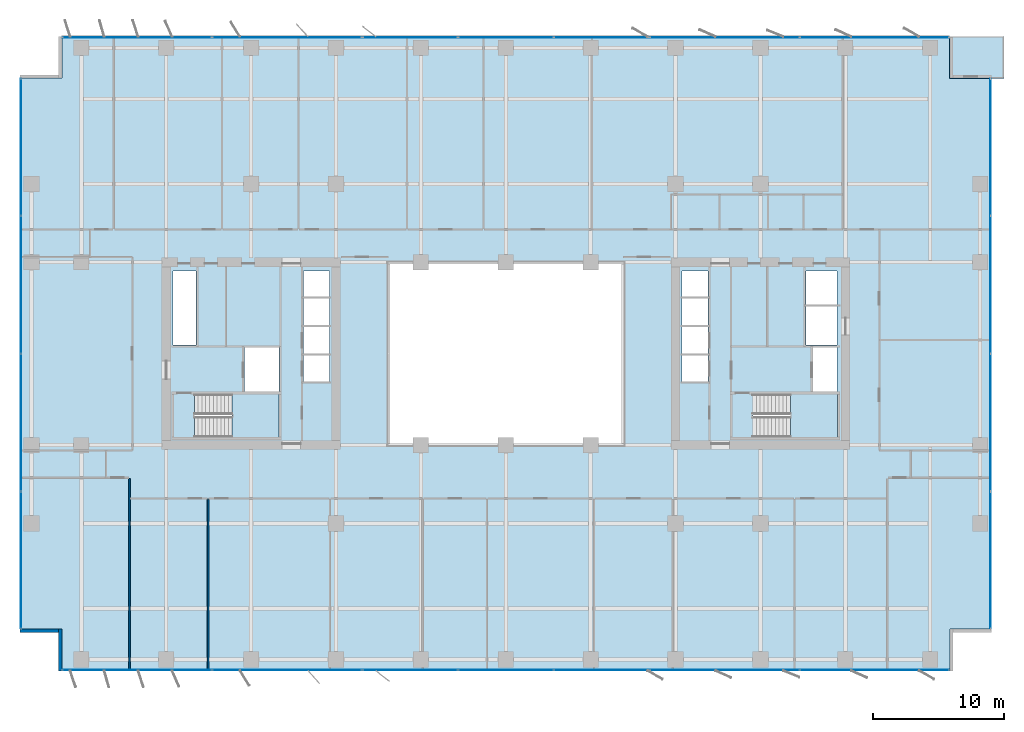
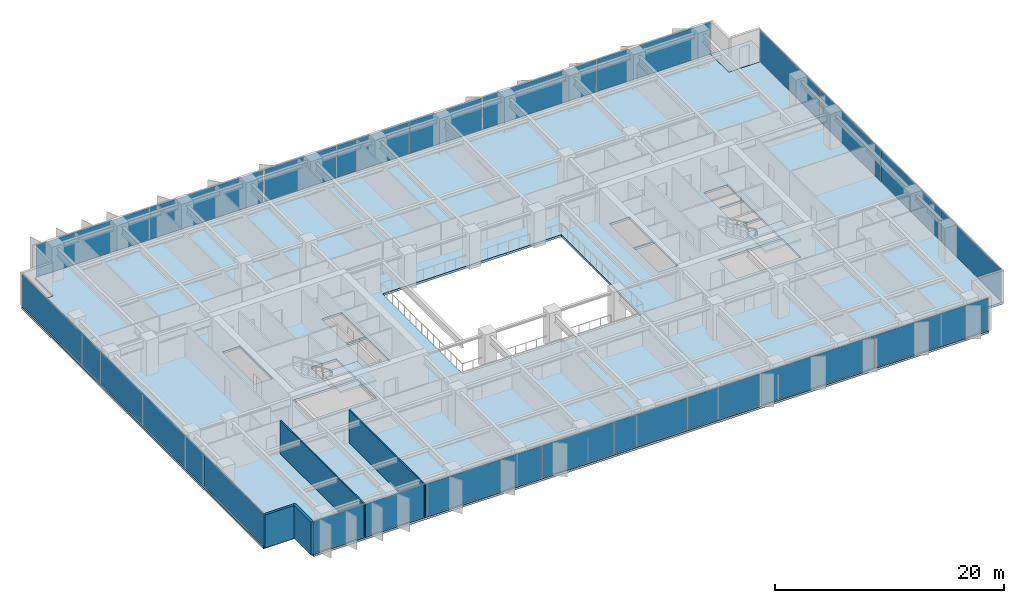
# One storey, part 12 of 20: 22 plates, 4 slabs, 4 walls, 10 elements without a shape of their own.
"""IFC4 building model written with IfcOpenShell, lengths in metres."""

from ifc_helpers import new_model, si_unit, direction, frame, frame_2d, origin, origin_2d, place, context, subcontext, project, spatial, polyline, rectangle, outline, extrude, material, layer, layer_set, type_object, element, aggregate, save


model = new_model("IFC4")

# Units and contexts
model_context = context("Model", 3, precision=1e-05, world=origin(), true_north=direction((0.0, 1.0)))
body_context = subcontext(model_context, "Body", "Model", "MODEL_VIEW")
ifc_project = project(units=[si_unit("LENGTHUNIT", "METRE"), si_unit("AREAUNIT", "SQUARE_METRE"), si_unit("VOLUMEUNIT", "CUBIC_METRE"), si_unit("PLANEANGLEUNIT", "RADIAN"), si_unit("MASSUNIT", "GRAM", prefix="KILO")], contexts=[model_context])

# Site, building, storey
site_placement = place(None, origin())
site = spatial("IfcSite", under=ifc_project, at=site_placement, CompositionType="ELEMENT")
building_placement = place(site_placement, origin())
building = spatial("IfcBuilding", under=site, at=building_placement, Name="Putna Gate Headquarters", CompositionType="ELEMENT")
storey_placement = place(building_placement, frame((0.0, 0.0, 135.39990234375)))
storey = spatial("IfcBuildingStorey", under=building, at=storey_placement, Name="L33", CompositionType="ELEMENT", Elevation=135.39990234375)

# Stair, slab
ifc_material_1 = material(Name="Concrete C40/50", Category="concrete")
stair_type_1 = type_object("IfcStairType", Name="STAIR-ST1", PredefinedType="HALF_TURN_STAIR", material=ifc_material_1)
stair_1_placement = place(storey_placement, origin())
stair_1 = element("IfcStair", 1, at=stair_1_placement, inside=storey, type_object=stair_type_1, Name="L33 West Core Exit Stair ST1", PredefinedType="HALF_TURN_STAIR")
ifc_layer_1 = layer(ifc_material_1, 0.199951171875)
ifc_layer_set_1 = layer_set([ifc_layer_1], Name="Concrete C40/50")
slab_type_1 = type_object("IfcSlabType", Name="LANDING-ST1", PredefinedType="LANDING", material=ifc_layer_set_1)
slab_1_placement = place(storey_placement, frame((0.0, 0.0, 1.7001953125)))
slab_1 = element("IfcSlab", 2, at=slab_1_placement, type_object=slab_type_1, Name="ST1 landing 1", PredefinedType="LANDING", context=body_context, shape_type="SweptSolid", body=[
    extrude(outline(polyline([(18.050048828125, 19.60009765625), (21.64990234375, 19.60009765625), (21.64990234375, 22.89990234375), (18.050048828125, 22.89990234375), (18.050048828125, 19.60009765625)])), origin(), (0.0, 0.0, 1.0), 0.199951171875),
])
aggregate(stair_1, [slab_1])

stair_type_2 = type_object("IfcStairType", Name="STAIR-ST2", PredefinedType="HALF_TURN_STAIR", material=ifc_material_1)
stair_2_placement = place(storey_placement, origin())
stair_2 = element("IfcStair", 3, at=stair_2_placement, inside=storey, type_object=stair_type_2, Name="L33 East Core Exit Stair ST2", PredefinedType="HALF_TURN_STAIR")
ifc_layer_2 = layer(ifc_material_1, 0.199951171875)
ifc_layer_set_2 = layer_set([ifc_layer_2], Name="Concrete C40/50")
slab_type_2 = type_object("IfcSlabType", Name="LANDING-ST2", PredefinedType="LANDING", material=ifc_layer_set_2)
slab_2_placement = place(storey_placement, frame((0.0, 0.0, 1.7001953125)))
slab_2 = element("IfcSlab", 4, at=slab_2_placement, type_object=slab_type_2, Name="ST2 landing 1", PredefinedType="LANDING", context=body_context, shape_type="SweptSolid", body=[
    extrude(outline(polyline([(60.800048828125, 19.60009765625), (64.39990234375, 19.60009765625), (64.39990234375, 22.89990234375), (60.800048828125, 22.89990234375), (60.800048828125, 19.60009765625)])), origin(), (0.0, 0.0, 1.0), 0.199951171875),
])
aggregate(stair_2, [slab_2])

# Curtain wall, plates
ifc_material_2 = material(Name="Anodised bronze aluminium curtain wall", Category="aluminium")
ifc_layer_3 = layer(ifc_material_2, 0.159912109375)
ifc_layer_set_3 = layer_set([ifc_layer_3], Name="Anodised bronze aluminium curtain wall")
curtain_wall_type_1 = type_object("IfcCurtainWallType", Name="CW-SYS-Z2", PredefinedType="USERDEFINED", material=ifc_layer_set_3)
curtain_wall_1_placement = place(storey_placement, origin())
curtain_wall_1 = element("IfcCurtainWall", 5, at=curtain_wall_1_placement, inside=storey, type_object=curtain_wall_type_1, Name="L33 South West Curtain Wall", ObjectType="STICK CURTAIN WALL", PredefinedType="USERDEFINED")
ifc_material_3 = material(Name="Solar-control triple low-E glass", Category="glass")
ifc_layer_4 = layer(ifc_material_3, 0.030029296875)
ifc_layer_set_4 = layer_set([ifc_layer_4], Name="Solar-control triple low-E glass")
plate_type_1 = type_object("IfcPlateType", Name="PAN-CWP-2", PredefinedType="CURTAIN_PANEL", material=ifc_layer_set_4)
plate_1_placement = place(storey_placement, frame((10.766357421875, 1.780029296875, 0.06494140625), z_axis=(0.0, 0.0, 1.0), x_axis=(1.0, 0.0, 0.0)))
plate_1 = element("IfcPlate", 6, at=plate_1_placement, type_object=plate_type_1, Name="CWS-2 panel 1.1", PredefinedType="CURTAIN_PANEL", context=body_context, shape_type="SweptSolid", body=[
    extrude(rectangle(XDim=11.402587890625, YDim=0.030029296875, at=origin_2d()), origin(), (0.0, 0.0, 1.0), 3.389892578125),
])
plate_2_placement = place(storey_placement, frame((22.233642578125, 1.780029296875, 0.06494140625), z_axis=(0.0, 0.0, 1.0), x_axis=(1.0, 0.0, 0.0)))
plate_2 = element("IfcPlate", 7, at=plate_2_placement, type_object=plate_type_1, Name="CWS-2 panel 2.1", PredefinedType="CURTAIN_PANEL", context=body_context, shape_type="SweptSolid", body=[
    extrude(rectangle(XDim=11.402587890625, YDim=0.030029296875, at=origin_2d()), origin(), (0.0, 0.0, 1.0), 3.389892578125),
])
aggregate(curtain_wall_1, [plate_1, plate_2])

curtain_wall_2_placement = place(storey_placement, origin())
curtain_wall_2 = element("IfcCurtainWall", 8, at=curtain_wall_2_placement, inside=storey, type_object=curtain_wall_type_1, Name="L33 South East Curtain Wall", ObjectType="STICK CURTAIN WALL", PredefinedType="USERDEFINED")
plate_3_placement = place(storey_placement, frame((55.766357421875, 1.780029296875, 0.06494140625), z_axis=(0.0, 0.0, 1.0), x_axis=(1.0, 0.0, 0.0)))
plate_3 = element("IfcPlate", 9, at=plate_3_placement, type_object=plate_type_1, Name="CWS-2 panel 1.1", PredefinedType="CURTAIN_PANEL", context=body_context, shape_type="SweptSolid", body=[
    extrude(rectangle(XDim=11.402587890625, YDim=0.030029296875, at=origin_2d()), origin(), (0.0, 0.0, 1.0), 3.389892578125),
])
plate_4_placement = place(storey_placement, frame((67.233642578125, 1.780029296875, 0.06494140625), z_axis=(0.0, 0.0, 1.0), x_axis=(1.0, 0.0, 0.0)))
plate_4 = element("IfcPlate", 10, at=plate_4_placement, type_object=plate_type_1, Name="CWS-2 panel 2.1", PredefinedType="CURTAIN_PANEL", context=body_context, shape_type="SweptSolid", body=[
    extrude(rectangle(XDim=11.402587890625, YDim=0.030029296875, at=origin_2d()), origin(), (0.0, 0.0, 1.0), 3.389892578125),
])
aggregate(curtain_wall_2, [plate_3, plate_4])

curtain_wall_3_placement = place(storey_placement, origin())
curtain_wall_3 = element("IfcCurtainWall", 11, at=curtain_wall_3_placement, inside=storey, type_object=curtain_wall_type_1, Name="L33 North West Curtain Wall", ObjectType="STICK CURTAIN WALL", PredefinedType="USERDEFINED")
plate_5_placement = place(storey_placement, frame((10.766357421875, 50.219970703125, 0.06494140625), z_axis=(0.0, 0.0, 1.0), x_axis=(1.0, 0.0, 0.0)))
plate_5 = element("IfcPlate", 12, at=plate_5_placement, type_object=plate_type_1, Name="CWS-2 panel 1.1", PredefinedType="CURTAIN_PANEL", context=body_context, shape_type="SweptSolid", body=[
    extrude(rectangle(XDim=11.402587890625, YDim=0.030029296875, at=origin_2d()), origin(), (0.0, 0.0, 1.0), 3.389892578125),
])
plate_6_placement = place(storey_placement, frame((22.233642578125, 50.219970703125, 0.06494140625), z_axis=(0.0, 0.0, 1.0), x_axis=(1.0, 0.0, 0.0)))
plate_6 = element("IfcPlate", 13, at=plate_6_placement, type_object=plate_type_1, Name="CWS-2 panel 2.1", PredefinedType="CURTAIN_PANEL", context=body_context, shape_type="SweptSolid", body=[
    extrude(rectangle(XDim=11.402587890625, YDim=0.030029296875, at=origin_2d()), origin(), (0.0, 0.0, 1.0), 3.389892578125),
])
aggregate(curtain_wall_3, [plate_5, plate_6])

curtain_wall_4_placement = place(storey_placement, origin())
curtain_wall_4 = element("IfcCurtainWall", 14, at=curtain_wall_4_placement, inside=storey, type_object=curtain_wall_type_1, Name="L33 North East Curtain Wall", ObjectType="STICK CURTAIN WALL", PredefinedType="USERDEFINED")
plate_7_placement = place(storey_placement, frame((55.766357421875, 50.219970703125, 0.06494140625), z_axis=(0.0, 0.0, 1.0), x_axis=(1.0, 0.0, 0.0)))
plate_7 = element("IfcPlate", 15, at=plate_7_placement, type_object=plate_type_1, Name="CWS-2 panel 1.1", PredefinedType="CURTAIN_PANEL", context=body_context, shape_type="SweptSolid", body=[
    extrude(rectangle(XDim=11.402587890625, YDim=0.030029296875, at=origin_2d()), origin(), (0.0, 0.0, 1.0), 3.389892578125),
])
plate_8_placement = place(storey_placement, frame((67.233642578125, 50.219970703125, 0.06494140625), z_axis=(0.0, 0.0, 1.0), x_axis=(1.0, 0.0, 0.0)))
plate_8 = element("IfcPlate", 16, at=plate_8_placement, type_object=plate_type_1, Name="CWS-2 panel 2.1", PredefinedType="CURTAIN_PANEL", context=body_context, shape_type="SweptSolid", body=[
    extrude(rectangle(XDim=11.402587890625, YDim=0.030029296875, at=origin_2d()), origin(), (0.0, 0.0, 1.0), 3.389892578125),
])
aggregate(curtain_wall_4, [plate_7, plate_8])

curtain_wall_5_placement = place(storey_placement, origin())
curtain_wall_5 = element("IfcCurtainWall", 17, at=curtain_wall_5_placement, inside=storey, type_object=curtain_wall_type_1, Name="L33 West Curtain Wall", ObjectType="STICK CURTAIN WALL", PredefinedType="USERDEFINED")
plate_9_placement = place(storey_placement, frame((1.8798828125, 10.191162109375, 0.06494140625), z_axis=(0.0, 0.0, 1.0), x_axis=(0.0, 1.0, 0.0)))
plate_9 = element("IfcPlate", 18, at=plate_9_placement, type_object=plate_type_1, Name="CWS-2 panel 1.1", PredefinedType="CURTAIN_PANEL", context=body_context, shape_type="SweptSolid", body=[
    extrude(rectangle(XDim=10.452392578125, YDim=0.030029296875, at=origin_2d()), origin(), (0.0, 0.0, 1.0), 3.389892578125),
])
plate_10_placement = place(storey_placement, frame((1.8798828125, 20.72509765625, 0.06494140625), z_axis=(0.0, 0.0, 1.0), x_axis=(0.0, 1.0, 0.0)))
plate_10 = element("IfcPlate", 19, at=plate_10_placement, type_object=plate_type_1, Name="CWS-2 panel 2.1", PredefinedType="CURTAIN_PANEL", context=body_context, shape_type="SweptSolid", body=[
    extrude(rectangle(XDim=10.485107421875, YDim=0.030029296875, at=origin_2d()), origin(), (0.0, 0.0, 1.0), 3.389892578125),
])
plate_11_placement = place(storey_placement, frame((1.8798828125, 31.27490234375, 0.06494140625), z_axis=(0.0, 0.0, 1.0), x_axis=(0.0, 1.0, 0.0)))
plate_11 = element("IfcPlate", 20, at=plate_11_placement, type_object=plate_type_1, Name="CWS-2 panel 3.1", PredefinedType="CURTAIN_PANEL", context=body_context, shape_type="SweptSolid", body=[
    extrude(rectangle(XDim=10.485107421875, YDim=0.030029296875, at=origin_2d()), origin(), (0.0, 0.0, 1.0), 3.389892578125),
])
plate_12_placement = place(storey_placement, frame((1.8798828125, 41.808837890625, 0.06494140625), z_axis=(0.0, 0.0, 1.0), x_axis=(0.0, 1.0, 0.0)))
plate_12 = element("IfcPlate", 21, at=plate_12_placement, type_object=plate_type_1, Name="CWS-2 panel 4.1", PredefinedType="CURTAIN_PANEL", context=body_context, shape_type="SweptSolid", body=[
    extrude(rectangle(XDim=10.452392578125, YDim=0.030029296875, at=origin_2d()), origin(), (0.0, 0.0, 1.0), 3.389892578125),
])
aggregate(curtain_wall_5, [plate_9, plate_10, plate_11, plate_12])

curtain_wall_6_placement = place(storey_placement, origin())
curtain_wall_6 = element("IfcCurtainWall", 22, at=curtain_wall_6_placement, inside=storey, type_object=curtain_wall_type_1, Name="L33 East Curtain Wall", ObjectType="STICK CURTAIN WALL", PredefinedType="USERDEFINED")
plate_13_placement = place(storey_placement, frame((76.1201171875, 10.191162109375, 0.06494140625), z_axis=(0.0, 0.0, 1.0), x_axis=(0.0, 1.0, 0.0)))
plate_13 = element("IfcPlate", 23, at=plate_13_placement, type_object=plate_type_1, Name="CWS-2 panel 1.1", PredefinedType="CURTAIN_PANEL", context=body_context, shape_type="SweptSolid", body=[
    extrude(rectangle(XDim=10.452392578125, YDim=0.030029296875, at=origin_2d()), origin(), (0.0, 0.0, 1.0), 3.389892578125),
])
plate_14_placement = place(storey_placement, frame((76.1201171875, 20.72509765625, 0.06494140625), z_axis=(0.0, 0.0, 1.0), x_axis=(0.0, 1.0, 0.0)))
plate_14 = element("IfcPlate", 24, at=plate_14_placement, type_object=plate_type_1, Name="CWS-2 panel 2.1", PredefinedType="CURTAIN_PANEL", context=body_context, shape_type="SweptSolid", body=[
    extrude(rectangle(XDim=10.485107421875, YDim=0.030029296875, at=origin_2d()), origin(), (0.0, 0.0, 1.0), 3.389892578125),
])
plate_15_placement = place(storey_placement, frame((76.1201171875, 31.27490234375, 0.06494140625), z_axis=(0.0, 0.0, 1.0), x_axis=(0.0, 1.0, 0.0)))
plate_15 = element("IfcPlate", 25, at=plate_15_placement, type_object=plate_type_1, Name="CWS-2 panel 3.1", PredefinedType="CURTAIN_PANEL", context=body_context, shape_type="SweptSolid", body=[
    extrude(rectangle(XDim=10.485107421875, YDim=0.030029296875, at=origin_2d()), origin(), (0.0, 0.0, 1.0), 3.389892578125),
])
plate_16_placement = place(storey_placement, frame((76.1201171875, 41.808837890625, 0.06494140625), z_axis=(0.0, 0.0, 1.0), x_axis=(0.0, 1.0, 0.0)))
plate_16 = element("IfcPlate", 26, at=plate_16_placement, type_object=plate_type_1, Name="CWS-2 panel 4.1", PredefinedType="CURTAIN_PANEL", context=body_context, shape_type="SweptSolid", body=[
    extrude(rectangle(XDim=10.452392578125, YDim=0.030029296875, at=origin_2d()), origin(), (0.0, 0.0, 1.0), 3.389892578125),
])
aggregate(curtain_wall_6, [plate_13, plate_14, plate_15, plate_16])

ifc_layer_5 = layer(ifc_material_2, 0.179931640625)
ifc_layer_set_5 = layer_set([ifc_layer_5], Name="Anodised bronze aluminium curtain wall")
curtain_wall_type_2 = type_object("IfcCurtainWallType", Name="CW-SYS-ATR", PredefinedType="USERDEFINED", material=ifc_layer_set_5)
curtain_wall_7_placement = place(storey_placement, origin())
curtain_wall_7 = element("IfcCurtainWall", 27, at=curtain_wall_7_placement, inside=storey, type_object=curtain_wall_type_2, Name="L33 South Atrium Clear Glazing", ObjectType="ATRIUM GLAZING", PredefinedType="USERDEFINED")
ifc_material_4 = material(Name="Clear low-iron triple glazing", Category="glass")
ifc_layer_6 = layer(ifc_material_4, 0.0400390625)
ifc_layer_set_6 = layer_set([ifc_layer_6], Name="Clear low-iron triple glazing")
plate_type_2 = type_object("IfcPlateType", Name="PAN-CWP-AT", PredefinedType="CURTAIN_PANEL", material=ifc_layer_set_6)
plate_17_placement = place(storey_placement, frame((31.68408203125, 1.780029296875, 0.070068359375), z_axis=(0.0, 0.0, 1.0), x_axis=(1.0, 0.0, 0.0)))
plate_17 = element("IfcPlate", 28, at=plate_17_placement, type_object=plate_type_2, Name="CWS-AT panel 1.1", PredefinedType="CURTAIN_PANEL", context=body_context, shape_type="SweptSolid", body=[
    extrude(rectangle(XDim=7.228271484375, YDim=0.0400390625, at=origin_2d()), origin(), (0.0, 0.0, 1.0), 3.3798828125),
])
plate_18_placement = place(storey_placement, frame((39.0, 1.780029296875, 0.070068359375), z_axis=(0.0, 0.0, 1.0), x_axis=(1.0, 0.0, 0.0)))
plate_18 = element("IfcPlate", 29, at=plate_18_placement, type_object=plate_type_2, Name="CWS-AT panel 2.1", PredefinedType="CURTAIN_PANEL", context=body_context, shape_type="SweptSolid", body=[
    extrude(rectangle(XDim=7.263427734375, YDim=0.0400390625, at=origin_2d()), origin(), (0.0, 0.0, 1.0), 3.3798828125),
])
plate_19_placement = place(storey_placement, frame((46.31591796875, 1.780029296875, 0.070068359375), z_axis=(0.0, 0.0, 1.0), x_axis=(1.0, 0.0, 0.0)))
plate_19 = element("IfcPlate", 30, at=plate_19_placement, type_object=plate_type_2, Name="CWS-AT panel 3.1", PredefinedType="CURTAIN_PANEL", context=body_context, shape_type="SweptSolid", body=[
    extrude(rectangle(XDim=7.228271484375, YDim=0.0400390625, at=origin_2d()), origin(), (0.0, 0.0, 1.0), 3.3798828125),
])
aggregate(curtain_wall_7, [plate_17, plate_18, plate_19])

curtain_wall_8_placement = place(storey_placement, origin())
curtain_wall_8 = element("IfcCurtainWall", 31, at=curtain_wall_8_placement, inside=storey, type_object=curtain_wall_type_2, Name="L33 North Atrium Clear Glazing", ObjectType="ATRIUM GLAZING", PredefinedType="USERDEFINED")
plate_20_placement = place(storey_placement, frame((31.68408203125, 50.219970703125, 0.070068359375), z_axis=(0.0, 0.0, 1.0), x_axis=(1.0, 0.0, 0.0)))
plate_20 = element("IfcPlate", 32, at=plate_20_placement, type_object=plate_type_2, Name="CWS-AT panel 1.1", PredefinedType="CURTAIN_PANEL", context=body_context, shape_type="SweptSolid", body=[
    extrude(rectangle(XDim=7.228271484375, YDim=0.0400390625, at=origin_2d()), origin(), (0.0, 0.0, 1.0), 3.3798828125),
])
plate_21_placement = place(storey_placement, frame((39.0, 50.219970703125, 0.070068359375), z_axis=(0.0, 0.0, 1.0), x_axis=(1.0, 0.0, 0.0)))
plate_21 = element("IfcPlate", 33, at=plate_21_placement, type_object=plate_type_2, Name="CWS-AT panel 2.1", PredefinedType="CURTAIN_PANEL", context=body_context, shape_type="SweptSolid", body=[
    extrude(rectangle(XDim=7.263427734375, YDim=0.0400390625, at=origin_2d()), origin(), (0.0, 0.0, 1.0), 3.3798828125),
])
plate_22_placement = place(storey_placement, frame((46.31591796875, 50.219970703125, 0.070068359375), z_axis=(0.0, 0.0, 1.0), x_axis=(1.0, 0.0, 0.0)))
plate_22 = element("IfcPlate", 34, at=plate_22_placement, type_object=plate_type_2, Name="CWS-AT panel 3.1", PredefinedType="CURTAIN_PANEL", context=body_context, shape_type="SweptSolid", body=[
    extrude(rectangle(XDim=7.228271484375, YDim=0.0400390625, at=origin_2d()), origin(), (0.0, 0.0, 1.0), 3.3798828125),
])
aggregate(curtain_wall_8, [plate_20, plate_21, plate_22])

# Slabs
ifc_layer_7 = layer(ifc_material_1, 0.179931640625)
ifc_layer_set_7 = layer_set([ifc_layer_7], Name="Concrete C40/50")
slab_type_3 = type_object("IfcSlabType", Name="SLAB-TERRACE-180", PredefinedType="FLOOR", material=ifc_layer_set_7)
slab_3_placement = place(storey_placement, frame((0.0, 0.0, -0.179931640625)))
element("IfcSlab", 35, at=slab_3_placement, inside=storey, type_object=slab_type_3, Name="L33 Spiral Sky-Garden Terrace Slab (NE)", PredefinedType="FLOOR", context=body_context, shape_type="SweptSolid", body=[
    extrude(outline(polyline([(72.991943359375, 47.092041015625), (77.14990234375, 47.092041015625), (77.14990234375, 50.300048828125), (72.991943359375, 50.300048828125), (72.991943359375, 47.092041015625)])), origin(), (0.0, 0.0, 1.0), 0.179931640625),
])
ifc_layer_8 = layer(ifc_material_1, 0.235107421875)
ifc_layer_set_8 = layer_set([ifc_layer_8], Name="Concrete C40/50")
slab_type_4 = type_object("IfcSlabType", Name="SLAB-Z2-235", PredefinedType="FLOOR", material=ifc_layer_set_8)
slab_4_placement = place(storey_placement, frame((0.0, 0.0, -0.23486328125)))
element("IfcSlab", 36, at=slab_4_placement, inside=storey, type_object=slab_type_4, Name="L33 Composite Floor Slab", PredefinedType="FLOOR", context=body_context, shape_type="SweptSolid", body=[
    extrude(outline(polyline([(5.0, 1.699951171875), (73.0, 1.699951171875), (73.0, 4.89990234375), (76.199951171875, 4.89990234375), (76.199951171875, 47.10009765625), (73.0, 47.10009765625), (73.0, 50.300048828125), (5.0, 50.300048828125), (5.0, 47.10009765625), (1.800048828125, 47.10009765625), (1.800048828125, 4.89990234375), (5.0, 4.89990234375), (5.0, 1.699951171875)]), holes=[polyline([(15.1650390625, 19.60009765625), (21.64990234375, 19.60009765625), (21.64990234375, 22.89990234375), (15.1650390625, 22.89990234375), (15.1650390625, 19.60009765625)]), polyline([(57.9150390625, 19.60009765625), (64.39990234375, 19.60009765625), (64.39990234375, 22.89990234375), (57.9150390625, 22.89990234375), (57.9150390625, 19.60009765625)]), polyline([(13.52001953125, 26.659912109375), (15.280029296875, 26.659912109375), (15.280029296875, 32.35009765625), (13.52001953125, 32.35009765625), (13.52001953125, 26.659912109375)]), polyline([(61.969970703125, 29.780029296875), (64.35009765625, 29.780029296875), (64.35009765625, 32.35009765625), (61.969970703125, 32.35009765625), (61.969970703125, 29.780029296875)]), polyline([(18.97998046875, 23.1201171875), (21.6201171875, 23.1201171875), (21.6201171875, 26.4599609375), (18.97998046875, 26.4599609375), (18.97998046875, 23.1201171875)]), polyline([(62.52001953125, 23.1201171875), (64.35009765625, 23.1201171875), (64.35009765625, 26.4599609375), (62.52001953125, 26.4599609375), (62.52001953125, 23.1201171875)]), polyline([(61.969970703125, 26.659912109375), (64.35009765625, 26.659912109375), (64.35009765625, 29.6201171875), (61.969970703125, 29.6201171875), (61.969970703125, 26.659912109375)]), polyline([(23.5, 23.860107421875), (25.5, 23.860107421875), (25.5, 28.0400390625), (23.5, 28.0400390625), (23.5, 23.860107421875)]), polyline([(52.47998046875, 23.860107421875), (54.5, 23.860107421875), (54.5, 28.0400390625), (52.47998046875, 28.0400390625), (52.47998046875, 23.860107421875)]), polyline([(23.5, 28.199951171875), (25.5, 28.199951171875), (25.5, 32.35009765625), (23.5, 32.35009765625), (23.5, 28.199951171875)]), polyline([(52.47998046875, 28.199951171875), (54.5, 28.199951171875), (54.5, 32.35009765625), (52.47998046875, 32.35009765625), (52.47998046875, 28.199951171875)]), polyline([(30.0, 19.0), (48.0, 19.0), (48.0, 33.0), (30.0, 33.0), (30.0, 19.0)])]), origin(), (0.0, 0.0, 1.0), 0.23486328125),
])

# Walls
ifc_material_5 = material(Name="Precast concrete C40/50", Category="concrete")
ifc_layer_9 = layer(ifc_material_5, 0.239990234375)
ifc_layer_set_9 = layer_set([ifc_layer_9], Name="Precast concrete C40/50")
wall_type_1 = type_object("IfcWallType", Name="WALL-EXT-TERR-240", PredefinedType="STANDARD", material=ifc_layer_set_9)
for number, where, z_axis, x_axis, name in (
    (37, (4.8798828125, 1.699951171875, 0.0), (0.0, 0.0, 1.0), (0.0, 1.0, 0.0), "L33 Corner Notch Return Wall SW-V"),
    (38, (5.0, 4.780029296875, 0.0), (0.0, 0.0, 1.0), (-1.0, 0.0, 0.0), "L33 Corner Notch Return Wall SW-H"),
):
    element("IfcWall", number, at=place(storey_placement, frame(where, z_axis=z_axis, x_axis=x_axis)), inside=storey, type_object=wall_type_1, Name=name, PredefinedType="STANDARD", context=body_context, shape_type="SweptSolid", body=[
        extrude(rectangle(XDim=3.199951171875, YDim=0.239990234375, at=frame_2d((1.60009765625, 0.0))), origin(), (0.0, 0.0, 1.0), 3.52001953125),
    ])
ifc_material_6 = material(Name="Acoustic gypsum board on metal stud")
ifc_layer_10 = layer(ifc_material_6, 0.1201171875)
ifc_layer_set_10 = layer_set([ifc_layer_10], Name="Acoustic gypsum board on metal stud")
wall_type_2 = type_object("IfcWallType", Name="WALL-PART-120", PredefinedType="PARTITIONING", material=ifc_layer_set_10)
wall_1_placement = place(storey_placement, frame((10.19091796875, 1.719970703125, 0.0), z_axis=(0.0, 0.0, 1.0), x_axis=(0.0, 1.0, 0.0)))
element("IfcWall", 39, at=wall_1_placement, inside=storey, type_object=wall_type_2, Name="L33 Interior Wall PART-L33-SB-DIV-01", PredefinedType="PARTITIONING", context=body_context, shape_type="SweptSolid", body=[
    extrude(rectangle(XDim=14.719970703125, YDim=0.1201171875, at=frame_2d((7.35986328125, 0.0))), origin(), (0.0, 0.0, 1.0), 3.52001953125),
])
wall_2_placement = place(storey_placement, frame((16.21044921875, 1.719970703125, 0.0), z_axis=(0.0, 0.0, 1.0), x_axis=(0.0, 1.0, 0.0)))
element("IfcWall", 40, at=wall_2_placement, inside=storey, type_object=wall_type_2, Name="L33 Interior Wall PART-L33-SB-DIV-02", PredefinedType="PARTITIONING", context=body_context, shape_type="SweptSolid", body=[
    extrude(rectangle(XDim=13.1201171875, YDim=0.1201171875, at=frame_2d((6.56005859375, 0.0))), origin(), (0.0, 0.0, 1.0), 3.52001953125),
])

save(model, "model.ifc")
